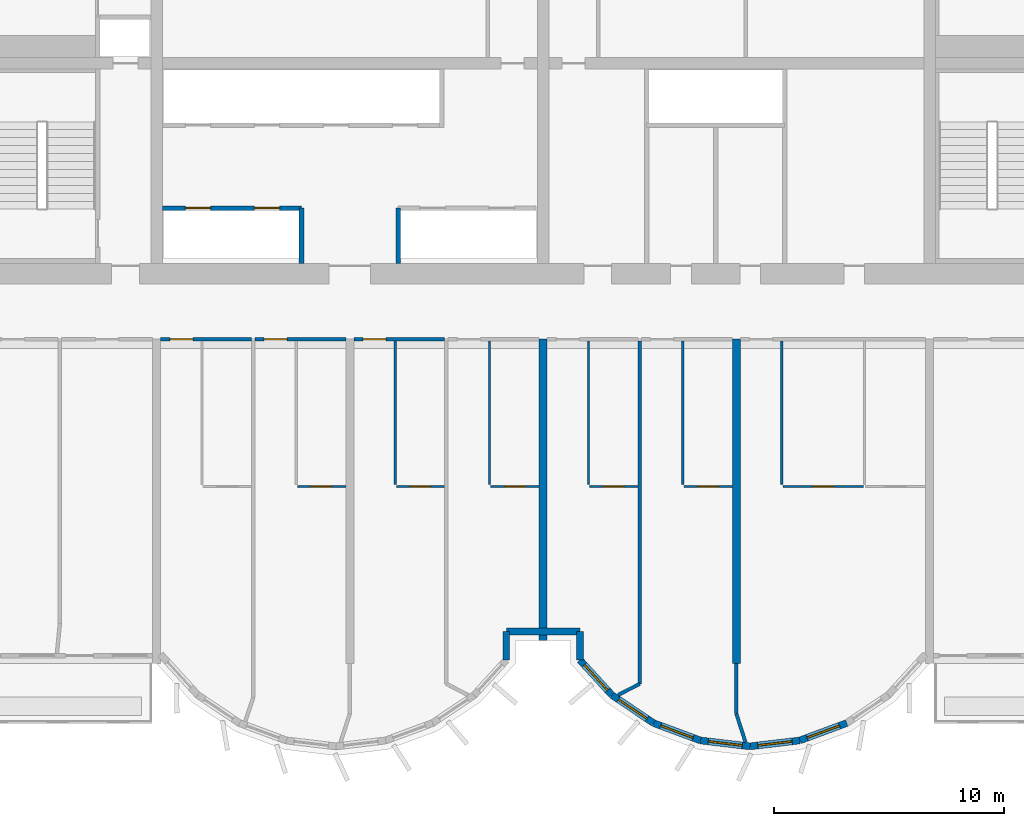
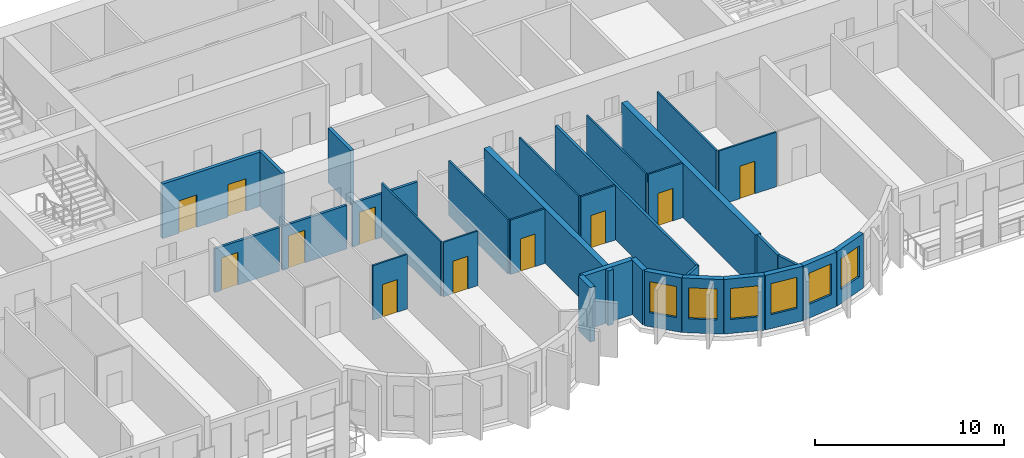
# One storey, part 5 of 14: 32 walls, 11 doors, 6 windows, 17 openings.
"""IFC4 building model written with IfcOpenShell, lengths in metres."""

from ifc_helpers import new_model, si_unit, direction, frame, frame_2d, origin, place, context, subcontext, project, spatial, rectangle, extrude, source, transform, mapped, material, layer, layer_set, type_object, element, fill, save


model = new_model("IFC4")

# Units and contexts
model_context = context("Model", 3, precision=1e-05, world=origin(), true_north=direction((0.0, 1.0)))
body_context = subcontext(model_context, "Body", "Model", "MODEL_VIEW")
ifc_project = project(units=[si_unit("LENGTHUNIT", "METRE"), si_unit("AREAUNIT", "SQUARE_METRE"), si_unit("VOLUMEUNIT", "CUBIC_METRE"), si_unit("PLANEANGLEUNIT", "RADIAN"), si_unit("MASSUNIT", "GRAM", prefix="KILO")], contexts=[model_context])

# Site, building, storey
site_placement = place(None, origin())
site = spatial("IfcSite", under=ifc_project, at=site_placement, CompositionType="ELEMENT")
building_placement = place(site_placement, origin())
building = spatial("IfcBuilding", under=site, at=building_placement, Name="Vanashikhar Sky Hotel", CompositionType="ELEMENT")
storey_placement = place(building_placement, frame((0.0, 0.0, 129.39990234375)))
storey = spatial("IfcBuildingStorey", under=building, at=storey_placement, Name="L31", CompositionType="ELEMENT", Elevation=129.39990234375)

# Walls
ifc_material_1 = material(Name="Concrete M70", Category="concrete")
ifc_layer_1 = layer(ifc_material_1, 0.35009765625)
ifc_layer_set_1 = layer_set([ifc_layer_1], Name="RC shear wall 350 Concrete M70")
wall_type_1 = type_object("IfcWallType", Name="RC shear wall 350 Concrete M70", PredefinedType="SHEAR", material=ifc_layer_set_1)
shared_shape_1 = source(origin(), body_context, "Body", "SweptSolid", [
    extrude(rectangle(XDim=14.10009765625, YDim=0.35009765625, at=frame_2d((7.050048828125, 0.0))), origin(), (0.0, 0.0, 1.0), 3.52001953125),
])
wall_1_placement = place(storey_placement, frame((58.800048828125, 5.5, 0.0), z_axis=(0.0, 0.0, 1.0), x_axis=(0.0, 1.0, 0.0)))
element("IfcWall", 1, at=wall_1_placement, inside=storey, type_object=wall_type_1, Name="CW-L31-XW08-1", PredefinedType="SHEAR", context=body_context, shape_type="MappedRepresentation", body=[
    mapped(shared_shape_1, transform((0.0, 0.0, 0.0), scale=1.0)),
])
shared_shape_2 = source(origin(), body_context, "Body", "SweptSolid", [
    extrude(rectangle(XDim=13.10009765625, YDim=0.35009765625, at=frame_2d((6.550048828125, 0.0))), origin(), (0.0, 0.0, 1.0), 3.52001953125),
])
wall_2_placement = place(storey_placement, frame((50.39990234375, 6.5, 0.0), z_axis=(0.0, 0.0, 1.0), x_axis=(0.0, 1.0, 0.0)))
element("IfcWall", 2, at=wall_2_placement, inside=storey, type_object=wall_type_1, Name="CW-L31-XW07-1", PredefinedType="SHEAR", context=body_context, shape_type="MappedRepresentation", body=[
    mapped(shared_shape_2, transform((0.0, 0.0, 0.0), scale=1.0)),
])

# Wall, opening, window
ifc_material_2 = material(Name="Concrete M50", Category="concrete")
ifc_layer_2 = layer(ifc_material_2, 0.300048828125)
ifc_layer_set_2 = layer_set([ifc_layer_2], Name="Lobe wall 300")
wall_type_2 = type_object("IfcWallType", Name="Lobe wall 300", PredefinedType="SOLIDWALL", material=ifc_layer_set_2)
shared_shape_3 = source(origin(), body_context, "Body", "SweptSolid", [
    extrude(rectangle(XDim=2.17578125, YDim=0.300048828125, at=frame_2d((1.087890625, 0.0))), origin(), (0.0, 0.0, 1.0), 3.52001953125),
])
wall_3_placement = place(storey_placement, frame((53.395751953125, 4.13134765625, 0.0), z_axis=(0.0, 0.0, 1.0), x_axis=(0.829590746428, -0.558371913192, 0.0)))
wall_3 = element("IfcWall", 3, at=wall_3_placement, inside=storey, type_object=wall_type_2, Name="Lobe wall", PredefinedType="SOLIDWALL", context=body_context, shape_type="MappedRepresentation", body=[
    mapped(shared_shape_3, transform((0.0, 0.0, 0.0), scale=1.0)),
])
shared_shape_4 = source(origin(), body_context, "Body", "SweptSolid", [
    extrude(rectangle(XDim=1.5, YDim=2.0, at=frame_2d((0.75, 1.0))), frame((0.0, 0.16015625, 0.0), z_axis=(0.0, -1.0, 0.0), x_axis=(1.0, 0.0, 0.0)), (0.0, 0.0, 1.0), 0.320068359375),
])
opening_1_placement = place(wall_3_placement, frame((0.337890625, 0.0, 0.89990234375)))
opening_1 = element("IfcOpeningElement", 4, at=opening_1_placement, cuts=wall_3, Name="Opening WN-2", PredefinedType="OPENING", context=body_context, shape_type="MappedRepresentation", body=[
    mapped(shared_shape_4, transform((0.0, 0.0, 0.0), scale=1.0)),
])
ifc_material_3 = material(Name="Glass", Category="glass")
window_type = type_object("IfcWindowType", Name="Lobe window 1500 x 2000", PartitioningType="SINGLE_PANEL", PredefinedType="WINDOW", material=ifc_material_3)
shared_shape_5 = source(origin(), body_context, "Body", "SweptSolid", [
    extrude(rectangle(XDim=1.5, YDim=2.0, at=frame_2d((0.75, 1.0))), frame((0.0, 0.030029296875, 0.0), z_axis=(0.0, -1.0, 0.0), x_axis=(1.0, 0.0, 0.0)), (0.0, 0.0, 1.0), 0.06005859375),
])
window_1_placement = place(opening_1_placement, origin())
window_1 = element("IfcWindow", 5, at=window_1_placement, inside=storey, type_object=window_type, Name="Window WN-2", OverallHeight=2.0, OverallWidth=1.5, PartitioningType="SINGLE_PANEL", PredefinedType="WINDOW", context=body_context, shape_type="MappedRepresentation", body=[
    mapped(shared_shape_5, transform((0.0, 0.0, 0.0), scale=1.0)),
])
fill(opening_1, window_1)

wall_4_placement = place(storey_placement, frame((55.20068359375, 2.91650390625, 0.0), z_axis=(0.0, 0.0, 1.0), x_axis=(0.93754555999, -0.347862505801, 0.0)))
wall_4 = element("IfcWall", 6, at=wall_4_placement, inside=storey, type_object=wall_type_2, Name="Lobe wall", PredefinedType="SOLIDWALL", context=body_context, shape_type="MappedRepresentation", body=[
    mapped(shared_shape_3, transform((0.0, 0.0, 0.0), scale=1.0)),
])
opening_2_placement = place(wall_4_placement, frame((0.337890625, 0.0, 0.89990234375)))
opening_2 = element("IfcOpeningElement", 7, at=opening_2_placement, cuts=wall_4, Name="Opening WN-2", PredefinedType="OPENING", context=body_context, shape_type="MappedRepresentation", body=[
    mapped(shared_shape_4, transform((0.0, 0.0, 0.0), scale=1.0)),
])
window_2_placement = place(opening_2_placement, origin())
window_2 = element("IfcWindow", 8, at=window_2_placement, inside=storey, type_object=window_type, Name="Window WN-2", OverallHeight=2.0, OverallWidth=1.5, PartitioningType="SINGLE_PANEL", PredefinedType="WINDOW", context=body_context, shape_type="MappedRepresentation", body=[
    mapped(shared_shape_5, transform((0.0, 0.0, 0.0), scale=1.0)),
])
fill(opening_2, window_2)

shared_shape_6 = source(origin(), body_context, "Body", "SweptSolid", [
    extrude(rectangle(XDim=2.174560546875, YDim=0.300048828125, at=frame_2d((1.08740234375, 0.0))), origin(), (0.0, 0.0, 1.0), 3.52001953125),
])
wall_5_placement = place(storey_placement, frame((57.240478515625, 2.15966796875, 0.0), z_axis=(0.0, 0.0, 1.0), x_axis=(0.993001132889, -0.118104826659, 0.0)))
wall_5 = element("IfcWall", 9, at=wall_5_placement, inside=storey, type_object=wall_type_2, Name="Lobe wall", PredefinedType="SOLIDWALL", context=body_context, shape_type="MappedRepresentation", body=[
    mapped(shared_shape_6, transform((0.0, 0.0, 0.0), scale=1.0)),
])
opening_3_placement = place(wall_5_placement, frame((0.33740234375, 0.0, 0.89990234375)))
opening_3 = element("IfcOpeningElement", 10, at=opening_3_placement, cuts=wall_5, Name="Opening WN-2", PredefinedType="OPENING", context=body_context, shape_type="MappedRepresentation", body=[
    mapped(shared_shape_4, transform((0.0, 0.0, 0.0), scale=1.0)),
])
window_3_placement = place(opening_3_placement, origin())
window_3 = element("IfcWindow", 11, at=window_3_placement, inside=storey, type_object=window_type, Name="Window WN-2", OverallHeight=2.0, OverallWidth=1.5, PartitioningType="SINGLE_PANEL", PredefinedType="WINDOW", context=body_context, shape_type="MappedRepresentation", body=[
    mapped(shared_shape_5, transform((0.0, 0.0, 0.0), scale=1.0)),
])
fill(opening_3, window_3)

shared_shape_7 = source(origin(), body_context, "Body", "SweptSolid", [
    extrude(rectangle(XDim=2.1748046875, YDim=0.300048828125, at=frame_2d((1.08740234375, 0.0))), origin(), (0.0, 0.0, 1.0), 3.52001953125),
])
wall_6_placement = place(storey_placement, frame((59.39990234375, 1.90283203125, 0.0), z_axis=(0.0, 0.0, 1.0), x_axis=(0.993002698611, 0.118091661648, 0.0)))
wall_6 = element("IfcWall", 12, at=wall_6_placement, inside=storey, type_object=wall_type_2, Name="Lobe wall", PredefinedType="SOLIDWALL", context=body_context, shape_type="MappedRepresentation", body=[
    mapped(shared_shape_7, transform((0.0, 0.0, 0.0), scale=1.0)),
])
opening_4_placement = place(wall_6_placement, frame((0.33740234375, 0.0, 0.89990234375)))
opening_4 = element("IfcOpeningElement", 13, at=opening_4_placement, cuts=wall_6, Name="Opening WN-2", PredefinedType="OPENING", context=body_context, shape_type="MappedRepresentation", body=[
    mapped(shared_shape_4, transform((0.0, 0.0, 0.0), scale=1.0)),
])
window_4_placement = place(opening_4_placement, origin())
window_4 = element("IfcWindow", 14, at=window_4_placement, inside=storey, type_object=window_type, Name="Window WN-2", OverallHeight=2.0, OverallWidth=1.5, PartitioningType="SINGLE_PANEL", PredefinedType="WINDOW", context=body_context, shape_type="MappedRepresentation", body=[
    mapped(shared_shape_5, transform((0.0, 0.0, 0.0), scale=1.0)),
])
fill(opening_4, window_4)

shared_shape_8 = source(origin(), body_context, "Body", "SweptSolid", [
    extrude(rectangle(XDim=2.175537109375, YDim=0.300048828125, at=frame_2d((1.087890625, 0.0))), origin(), (0.0, 0.0, 1.0), 3.52001953125),
])
wall_7_placement = place(storey_placement, frame((61.5595703125, 2.15966796875, 0.0), z_axis=(0.0, 0.0, 1.0), x_axis=(0.937531979054, 0.347899106424, 0.0)))
wall_7 = element("IfcWall", 15, at=wall_7_placement, inside=storey, type_object=wall_type_2, Name="Lobe wall", PredefinedType="SOLIDWALL", context=body_context, shape_type="MappedRepresentation", body=[
    mapped(shared_shape_8, transform((0.0, 0.0, 0.0), scale=1.0)),
])
opening_5_placement = place(wall_7_placement, frame((0.337890625, 0.0, 0.89990234375)))
opening_5 = element("IfcOpeningElement", 16, at=opening_5_placement, cuts=wall_7, Name="Opening WN-2", PredefinedType="OPENING", context=body_context, shape_type="MappedRepresentation", body=[
    mapped(shared_shape_4, transform((0.0, 0.0, 0.0), scale=1.0)),
])
window_5_placement = place(opening_5_placement, origin())
window_5 = element("IfcWindow", 17, at=window_5_placement, inside=storey, type_object=window_type, Name="Window WN-2", OverallHeight=2.0, OverallWidth=1.5, PartitioningType="SINGLE_PANEL", PredefinedType="WINDOW", context=body_context, shape_type="MappedRepresentation", body=[
    mapped(shared_shape_5, transform((0.0, 0.0, 0.0), scale=1.0)),
])
fill(opening_5, window_5)

shared_shape_9 = source(origin(), body_context, "Body", "SweptSolid", [
    extrude(rectangle(XDim=2.066650390625, YDim=0.300048828125, at=frame_2d((1.033203125, 0.0))), origin(), (0.0, 0.0, 1.0), 3.52001953125),
])
wall_8_placement = place(storey_placement, frame((52.0, 5.655517578125, 0.0), z_axis=(0.0, 0.0, 1.0), x_axis=(0.675355439877, -0.737492393065, 0.0)))
wall_8 = element("IfcWall", 18, at=wall_8_placement, inside=storey, type_object=wall_type_2, Name="Lobe wall", PredefinedType="SOLIDWALL", context=body_context, shape_type="MappedRepresentation", body=[
    mapped(shared_shape_9, transform((0.0, 0.0, 0.0), scale=1.0)),
])
opening_6_placement = place(wall_8_placement, frame((0.283447265625, 0.0, 0.89990234375)))
opening_6 = element("IfcOpeningElement", 19, at=opening_6_placement, cuts=wall_8, Name="Opening WN-2", PredefinedType="OPENING", context=body_context, shape_type="MappedRepresentation", body=[
    mapped(shared_shape_4, transform((0.0, 0.0, 0.0), scale=1.0)),
])
window_6_placement = place(opening_6_placement, origin())
window_6 = element("IfcWindow", 20, at=window_6_placement, inside=storey, type_object=window_type, Name="Window WN-2", OverallHeight=2.0, OverallWidth=1.5, PartitioningType="SINGLE_PANEL", PredefinedType="WINDOW", context=body_context, shape_type="MappedRepresentation", body=[
    mapped(shared_shape_5, transform((0.0, 0.0, 0.0), scale=1.0)),
])
fill(opening_6, window_6)

# Walls
shared_shape_10 = source(origin(), body_context, "Body", "SweptSolid", [
    extrude(rectangle(XDim=1.244384765625, YDim=0.300048828125, at=frame_2d((0.6220703125, 0.0))), origin(), (0.0, 0.0, 1.0), 3.52001953125),
])
for number, where, z_axis, x_axis, name in (
    (21, (48.800048828125, 5.655517578125, 0.0), (0.0, 0.0, 1.0), (0.0, 1.0, 0.0), "Groove wall"),
    (22, (52.0, 6.89990234375, 0.0), (0.0, 0.0, 1.0), (0.0, -1.0, 0.0), "Groove wall"),
):
    element("IfcWall", number, at=place(storey_placement, frame(where, z_axis=z_axis, x_axis=x_axis)), inside=storey, type_object=wall_type_2, Name=name, PredefinedType="SOLIDWALL", context=body_context, shape_type="MappedRepresentation", body=[
        mapped(shared_shape_10, transform((0.0, 0.0, 0.0), scale=1.0)),
    ])
shared_shape_11 = source(origin(), body_context, "Body", "SweptSolid", [
    extrude(rectangle(XDim=3.199951171875, YDim=0.300048828125, at=frame_2d((1.60009765625, 0.0))), origin(), (0.0, 0.0, 1.0), 3.52001953125),
])
wall_9_placement = place(storey_placement, frame((48.800048828125, 6.89990234375, 0.0), z_axis=(0.0, 0.0, 1.0), x_axis=(1.0, 0.0, 0.0)))
element("IfcWall", 23, at=wall_9_placement, inside=storey, type_object=wall_type_2, Name="Groove wall", PredefinedType="SOLIDWALL", context=body_context, shape_type="MappedRepresentation", body=[
    mapped(shared_shape_11, transform((0.0, 0.0, 0.0), scale=1.0)),
])

# Wall, openings, doors
ifc_material_4 = material(Name="Concrete M40", Category="concrete")
ifc_layer_3 = layer(ifc_material_4, 0.199951171875)
ifc_layer_set_3 = layer_set([ifc_layer_3], Name="Shaft wall 200")
wall_type_3 = type_object("IfcWallType", Name="Shaft wall 200", PredefinedType="SOLIDWALL", material=ifc_layer_set_3)
shared_shape_12 = source(origin(), body_context, "Body", "SweptSolid", [
    extrude(rectangle(XDim=6.0498046875, YDim=0.199951171875, at=frame_2d((3.02490234375, 0.0))), origin(), (0.0, 0.0, 1.0), 3.52001953125),
])
wall_10_placement = place(storey_placement, frame((33.85009765625, 25.300048828125, 0.0), z_axis=(0.0, 0.0, 1.0), x_axis=(1.0, 0.0, 0.0)))
wall_10 = element("IfcWall", 24, at=wall_10_placement, inside=storey, type_object=wall_type_3, Name="Shaft wall 200", PredefinedType="SOLIDWALL", context=body_context, shape_type="MappedRepresentation", body=[
    mapped(shared_shape_12, transform((0.0, 0.0, 0.0), scale=1.0)),
])
shared_shape_13 = source(origin(), body_context, "Body", "SweptSolid", [
    extrude(rectangle(XDim=1.10009765625, YDim=2.10009765625, at=frame_2d((0.550048828125, 1.050048828125))), frame((0.0, 0.10986328125, 0.0), z_axis=(0.0, -1.0, 0.0), x_axis=(1.0, 0.0, 0.0)), (0.0, 0.0, 1.0), 0.219970703125),
])
opening_7_placement = place(wall_10_placement, frame((1.0, 0.0, 0.0)))
opening_7 = element("IfcOpeningElement", 25, at=opening_7_placement, cuts=wall_10, Name="Opening LD", PredefinedType="OPENING", context=body_context, shape_type="MappedRepresentation", body=[
    mapped(shared_shape_13, transform((0.0, 0.0, 0.0), scale=1.0)),
])
opening_8_placement = place(wall_10_placement, frame((4.0, 0.0, 0.0)))
opening_8 = element("IfcOpeningElement", 26, at=opening_8_placement, cuts=wall_10, Name="Opening LD", PredefinedType="OPENING", context=body_context, shape_type="MappedRepresentation", body=[
    mapped(shared_shape_13, transform((0.0, 0.0, 0.0), scale=1.0)),
])
ifc_material_5 = material(Name="Stainless steel", Category="steel")
door_type_1 = type_object("IfcDoorType", Name="Lift landing door 1100", OperationType="NOTDEFINED", PredefinedType="DOOR", material=ifc_material_5)
shared_shape_14 = source(origin(), body_context, "Body", "SweptSolid", [
    extrude(rectangle(XDim=1.10009765625, YDim=2.10009765625, at=frame_2d((0.550048828125, 1.050048828125))), frame((0.0, 0.02490234375, 0.0), z_axis=(0.0, -1.0, 0.0), x_axis=(1.0, 0.0, 0.0)), (0.0, 0.0, 1.0), 0.050048828125),
])
door_1_placement = place(opening_7_placement, origin())
door_1 = element("IfcDoor", 27, at=door_1_placement, inside=storey, type_object=door_type_1, Name="Lift landing door 1100", OperationType="SLIDING_TO_LEFT", OverallHeight=2.10009765625, OverallWidth=1.10009765625, PredefinedType="DOOR", context=body_context, shape_type="MappedRepresentation", body=[
    mapped(shared_shape_14, transform((0.0, 0.0, 0.0), scale=1.0)),
])
fill(opening_7, door_1)
door_2_placement = place(opening_8_placement, origin())
door_2 = element("IfcDoor", 28, at=door_2_placement, inside=storey, type_object=door_type_1, Name="Lift landing door 1100", OperationType="SLIDING_TO_RIGHT", OverallHeight=2.10009765625, OverallWidth=1.10009765625, PredefinedType="DOOR", context=body_context, shape_type="MappedRepresentation", body=[
    mapped(shared_shape_14, transform((0.0, 0.0, 0.0), scale=1.0)),
])
fill(opening_8, door_2)

# Walls
shared_shape_15 = source(origin(), body_context, "Body", "SweptSolid", [
    extrude(rectangle(XDim=2.400146484375, YDim=0.199951171875, at=frame_2d((1.2001953125, 0.0))), origin(), (0.0, 0.0, 1.0), 3.52001953125),
])
for number, where, z_axis, x_axis, name in (
    (29, (39.89990234375, 22.89990234375, 0.0), (0.0, 0.0, 1.0), (0.0, 1.0, 0.0), "Shaft wall 200"),
    (30, (44.10009765625, 22.89990234375, 0.0), (0.0, 0.0, 1.0), (0.0, 1.0, 0.0), "Shaft wall 200"),
):
    element("IfcWall", number, at=place(storey_placement, frame(where, z_axis=z_axis, x_axis=x_axis)), inside=storey, type_object=wall_type_3, Name=name, PredefinedType="SOLIDWALL", context=body_context, shape_type="MappedRepresentation", body=[
        mapped(shared_shape_15, transform((0.0, 0.0, 0.0), scale=1.0)),
    ])
ifc_material_6 = material(Name="Gypsum plasterboard partition")
ifc_layer_4 = layer(ifc_material_6, 0.14990234375)
ifc_layer_set_4 = layer_set([ifc_layer_4], Name="Corridor and demising partition 150")
wall_type_4 = type_object("IfcWallType", Name="Corridor and demising partition 150", PredefinedType="PARTITIONING", material=ifc_layer_set_4)
shared_shape_16 = source(origin(), body_context, "Body", "SweptSolid", [
    extrude(rectangle(XDim=2.177978515625, YDim=0.14990234375, at=frame_2d((1.0888671875, 0.0))), origin(), (0.0, 0.0, 1.0), 3.52001953125),
])
wall_11_placement = place(storey_placement, frame((58.800048828125, 3.322021484375, 0.0), z_axis=(0.0, 0.0, 1.0), x_axis=(0.0, 1.0, 0.0)))
element("IfcWall", 31, at=wall_11_placement, inside=storey, type_object=wall_type_4, Name="W-L31-PW070", PredefinedType="PARTITIONING", context=body_context, shape_type="MappedRepresentation", body=[
    mapped(shared_shape_16, transform((0.0, 0.0, 0.0), scale=1.0)),
])

# Wall, opening, door
ifc_layer_5 = layer(ifc_material_6, 0.10009765625)
ifc_layer_set_5 = layer_set([ifc_layer_5], Name="Wet room partition 100")
wall_type_5 = type_object("IfcWallType", Name="Wet room partition 100", PredefinedType="PARTITIONING", material=ifc_layer_set_5)
shared_shape_17 = source(origin(), body_context, "Body", "SweptSolid", [
    extrude(rectangle(XDim=3.5, YDim=0.10009765625, at=frame_2d((1.75, 0.0))), origin(), (0.0, 0.0, 1.0), 3.52001953125),
])
wall_12_placement = place(storey_placement, frame((60.824951171875, 13.199951171875, 0.0), z_axis=(0.0, 0.0, 1.0), x_axis=(1.0, 0.0, 0.0)))
wall_12 = element("IfcWall", 32, at=wall_12_placement, inside=storey, type_object=wall_type_5, Name="W-L31-PW046", PredefinedType="PARTITIONING", context=body_context, shape_type="MappedRepresentation", body=[
    mapped(shared_shape_17, transform((0.0, 0.0, 0.0), scale=1.0)),
])
shared_shape_18 = source(origin(), body_context, "Body", "SweptSolid", [
    extrude(rectangle(XDim=0.89990234375, YDim=2.10009765625, at=frame_2d((0.449951171875, 1.050048828125))), frame((0.0, 0.06005859375, 0.0), z_axis=(0.0, -1.0, 0.0), x_axis=(1.0, 0.0, 0.0)), (0.0, 0.0, 1.0), 0.1201171875),
])
opening_9_placement = place(wall_12_placement, frame((1.300048828125, 0.0, 0.0)))
opening_9 = element("IfcOpeningElement", 33, at=opening_9_placement, cuts=wall_12, Name="Opening D-02", PredefinedType="OPENING", context=body_context, shape_type="MappedRepresentation", body=[
    mapped(shared_shape_18, transform((0.0, 0.0, 0.0), scale=1.0)),
])
ifc_material_7 = material(Name="Timber door", Category="wood")
door_type_2 = type_object("IfcDoorType", Name="Internal door 900", OperationType="NOTDEFINED", PredefinedType="DOOR", material=ifc_material_7)
shared_shape_19 = source(origin(), body_context, "Body", "SweptSolid", [
    extrude(rectangle(XDim=0.89990234375, YDim=2.10009765625, at=frame_2d((0.449951171875, 1.050048828125))), frame((0.0, 0.02490234375, 0.0), z_axis=(0.0, -1.0, 0.0), x_axis=(1.0, 0.0, 0.0)), (0.0, 0.0, 1.0), 0.050048828125),
])
door_3_placement = place(opening_9_placement, origin())
door_3 = element("IfcDoor", 34, at=door_3_placement, inside=storey, type_object=door_type_2, Name="D-L31-026", OperationType="SINGLE_SWING_LEFT", OverallHeight=2.10009765625, OverallWidth=0.89990234375, PredefinedType="DOOR", context=body_context, shape_type="MappedRepresentation", body=[
    mapped(shared_shape_19, transform((0.0, 0.0, 0.0), scale=1.0)),
])
fill(opening_9, door_3)

# Walls
shared_shape_20 = source(origin(), body_context, "Body", "SweptSolid", [
    extrude(rectangle(XDim=1.057861328125, YDim=0.14990234375, at=frame_2d((0.52880859375, 0.0))), origin(), (0.0, 0.0, 1.0), 3.52001953125),
])
wall_13_placement = place(storey_placement, frame((53.659912109375, 4.134033203125, 0.0), z_axis=(0.0, 0.0, 1.0), x_axis=(0.888772319209, 0.458348955063, 0.0)))
element("IfcWall", 35, at=wall_13_placement, inside=storey, type_object=wall_type_4, Name="W-L31-PW043B0", PredefinedType="PARTITIONING", context=body_context, shape_type="MappedRepresentation", body=[
    mapped(shared_shape_20, transform((0.0, 0.0, 0.0), scale=1.0)),
])
shared_shape_21 = source(origin(), body_context, "Body", "SweptSolid", [
    extrude(rectangle(XDim=1.308349609375, YDim=0.14990234375, at=frame_2d((0.654296875, 0.0))), origin(), (0.0, 0.0, 1.0), 3.52001953125),
])
wall_14_placement = place(storey_placement, frame((59.201904296875, 2.076904296875, 0.0), z_axis=(0.0, 0.0, 1.0), x_axis=(-0.307144529633, 0.951662880392, 0.0)))
element("IfcWall", 36, at=wall_14_placement, inside=storey, type_object=wall_type_4, Name="W-L31-PW070B0", PredefinedType="PARTITIONING", context=body_context, shape_type="MappedRepresentation", body=[
    mapped(shared_shape_21, transform((0.0, 0.0, 0.0), scale=1.0)),
])
shared_shape_22 = source(origin(), body_context, "Body", "SweptSolid", [
    extrude(rectangle(XDim=6.25, YDim=0.10009765625, at=frame_2d((3.125, 0.0))), origin(), (0.0, 0.0, 1.0), 3.52001953125),
])
for number, where, z_axis, x_axis, name in (
    (37, (43.97509765625, 13.27490234375, 0.0), (0.0, 0.0, 1.0), (0.0, 1.0, 0.0), "W-L31-PW030"),
    (38, (48.074951171875, 13.27490234375, 0.0), (0.0, 0.0, 1.0), (0.0, 1.0, 0.0), "W-L31-PW033"),
    (39, (52.375, 13.27490234375, 0.0), (0.0, 0.0, 1.0), (0.0, 1.0, 0.0), "W-L31-PW037"),
    (40, (56.47509765625, 13.27490234375, 0.0), (0.0, 0.0, 1.0), (0.0, 1.0, 0.0), "W-L31-PW040"),
    (41, (60.77490234375, 13.27490234375, 0.0), (0.0, 0.0, 1.0), (0.0, 1.0, 0.0), "W-L31-PW044"),
):
    element("IfcWall", number, at=place(storey_placement, frame(where, z_axis=z_axis, x_axis=x_axis)), inside=storey, type_object=wall_type_5, Name=name, PredefinedType="PARTITIONING", context=body_context, shape_type="MappedRepresentation", body=[
        mapped(shared_shape_22, transform((0.0, 0.0, 0.0), scale=1.0)),
    ])

# Wall, opening, door
shared_shape_23 = source(origin(), body_context, "Body", "SweptSolid", [
    extrude(rectangle(XDim=2.10009765625, YDim=0.10009765625, at=frame_2d((1.050048828125, 0.0))), origin(), (0.0, 0.0, 1.0), 3.52001953125),
])
wall_15_placement = place(storey_placement, frame((44.02490234375, 13.199951171875, 0.0), z_axis=(0.0, 0.0, 1.0), x_axis=(1.0, 0.0, 0.0)))
wall_15 = element("IfcWall", 42, at=wall_15_placement, inside=storey, type_object=wall_type_5, Name="W-L31-PW031", PredefinedType="PARTITIONING", context=body_context, shape_type="MappedRepresentation", body=[
    mapped(shared_shape_23, transform((0.0, 0.0, 0.0), scale=1.0)),
])
opening_10_placement = place(wall_15_placement, frame((0.60009765625, 0.0, 0.0)))
opening_10 = element("IfcOpeningElement", 43, at=opening_10_placement, cuts=wall_15, Name="Opening D-02", PredefinedType="OPENING", context=body_context, shape_type="MappedRepresentation", body=[
    mapped(shared_shape_18, transform((0.0, 0.0, 0.0), scale=1.0)),
])
door_4_placement = place(opening_10_placement, origin())
door_4 = element("IfcDoor", 44, at=door_4_placement, inside=storey, type_object=door_type_2, Name="D-L31-018", OperationType="SINGLE_SWING_LEFT", OverallHeight=2.10009765625, OverallWidth=0.89990234375, PredefinedType="DOOR", context=body_context, shape_type="MappedRepresentation", body=[
    mapped(shared_shape_19, transform((0.0, 0.0, 0.0), scale=1.0)),
])
fill(opening_10, door_4)

wall_16_placement = place(storey_placement, frame((48.125, 13.199951171875, 0.0), z_axis=(0.0, 0.0, 1.0), x_axis=(1.0, 0.0, 0.0)))
wall_16 = element("IfcWall", 45, at=wall_16_placement, inside=storey, type_object=wall_type_5, Name="W-L31-PW034", PredefinedType="PARTITIONING", context=body_context, shape_type="MappedRepresentation", body=[
    mapped(shared_shape_23, transform((0.0, 0.0, 0.0), scale=1.0)),
])
opening_11_placement = place(wall_16_placement, frame((0.60009765625, 0.0, 0.0)))
opening_11 = element("IfcOpeningElement", 46, at=opening_11_placement, cuts=wall_16, Name="Opening D-02", PredefinedType="OPENING", context=body_context, shape_type="MappedRepresentation", body=[
    mapped(shared_shape_18, transform((0.0, 0.0, 0.0), scale=1.0)),
])
door_5_placement = place(opening_11_placement, origin())
door_5 = element("IfcDoor", 47, at=door_5_placement, inside=storey, type_object=door_type_2, Name="D-L31-020", OperationType="SINGLE_SWING_LEFT", OverallHeight=2.10009765625, OverallWidth=0.89990234375, PredefinedType="DOOR", context=body_context, shape_type="MappedRepresentation", body=[
    mapped(shared_shape_19, transform((0.0, 0.0, 0.0), scale=1.0)),
])
fill(opening_11, door_5)

wall_17_placement = place(storey_placement, frame((56.52490234375, 13.199951171875, 0.0), z_axis=(0.0, 0.0, 1.0), x_axis=(1.0, 0.0, 0.0)))
wall_17 = element("IfcWall", 48, at=wall_17_placement, inside=storey, type_object=wall_type_5, Name="W-L31-PW041", PredefinedType="PARTITIONING", context=body_context, shape_type="MappedRepresentation", body=[
    mapped(shared_shape_23, transform((0.0, 0.0, 0.0), scale=1.0)),
])
opening_12_placement = place(wall_17_placement, frame((0.60009765625, 0.0, 0.0)))
opening_12 = element("IfcOpeningElement", 49, at=opening_12_placement, cuts=wall_17, Name="Opening D-02", PredefinedType="OPENING", context=body_context, shape_type="MappedRepresentation", body=[
    mapped(shared_shape_18, transform((0.0, 0.0, 0.0), scale=1.0)),
])
door_6_placement = place(opening_12_placement, origin())
door_6 = element("IfcDoor", 50, at=door_6_placement, inside=storey, type_object=door_type_2, Name="D-L31-024", OperationType="SINGLE_SWING_LEFT", OverallHeight=2.10009765625, OverallWidth=0.89990234375, PredefinedType="DOOR", context=body_context, shape_type="MappedRepresentation", body=[
    mapped(shared_shape_19, transform((0.0, 0.0, 0.0), scale=1.0)),
])
fill(opening_12, door_6)

shared_shape_24 = source(origin(), body_context, "Body", "SweptSolid", [
    extrude(rectangle(XDim=3.9501953125, YDim=0.14990234375, at=frame_2d((1.97509765625, 0.0))), origin(), (0.0, 0.0, 1.0), 2.820068359375),
])
wall_18_placement = place(storey_placement, frame((33.77490234375, 19.60009765625, 0.0), z_axis=(0.0, 0.0, 1.0), x_axis=(1.0, 0.0, 0.0)))
wall_18 = element("IfcWall", 51, at=wall_18_placement, inside=storey, type_object=wall_type_4, Name="W-L31-PW025", PredefinedType="PARTITIONING", context=body_context, shape_type="MappedRepresentation", body=[
    mapped(shared_shape_24, transform((0.0, 0.0, 0.0), scale=1.0)),
])
shared_shape_25 = source(origin(), body_context, "Body", "SweptSolid", [
    extrude(rectangle(XDim=1.0, YDim=2.10009765625, at=frame_2d((0.5, 1.050048828125))), frame((0.0, 0.0849609375, 0.0), z_axis=(0.0, -1.0, 0.0), x_axis=(1.0, 0.0, 0.0)), (0.0, 0.0, 1.0), 0.169921875),
])
opening_13_placement = place(wall_18_placement, frame((0.39990234375, 0.0, 0.0)))
opening_13 = element("IfcOpeningElement", 52, at=opening_13_placement, cuts=wall_18, Name="Opening D-01", PredefinedType="OPENING", context=body_context, shape_type="MappedRepresentation", body=[
    mapped(shared_shape_25, transform((0.0, 0.0, 0.0), scale=1.0)),
])
ifc_material_8 = material(Name="Timber fire door", Category="wood")
door_type_3 = type_object("IfcDoorType", Name="Guest entry door 1000 FD30S", OperationType="NOTDEFINED", PredefinedType="DOOR", material=ifc_material_8)
shared_shape_26 = source(origin(), body_context, "Body", "SweptSolid", [
    extrude(rectangle(XDim=1.0, YDim=2.10009765625, at=frame_2d((0.5, 1.050048828125))), frame((0.0, 0.02490234375, 0.0), z_axis=(0.0, -1.0, 0.0), x_axis=(1.0, 0.0, 0.0)), (0.0, 0.0, 1.0), 0.050048828125),
])
door_7_placement = place(opening_13_placement, origin())
door_7 = element("IfcDoor", 53, at=door_7_placement, inside=storey, type_object=door_type_3, Name="D-L31-015", OperationType="SINGLE_SWING_LEFT", OverallHeight=2.10009765625, OverallWidth=1.0, PredefinedType="DOOR", context=body_context, shape_type="MappedRepresentation", body=[
    mapped(shared_shape_26, transform((0.0, 0.0, 0.0), scale=1.0)),
])
fill(opening_13, door_7)

shared_shape_27 = source(origin(), body_context, "Body", "SweptSolid", [
    extrude(rectangle(XDim=3.949951171875, YDim=0.14990234375, at=frame_2d((1.97509765625, 0.0))), origin(), (0.0, 0.0, 1.0), 2.820068359375),
])
wall_19_placement = place(storey_placement, frame((37.875, 19.60009765625, 0.0), z_axis=(0.0, 0.0, 1.0), x_axis=(1.0, 0.0, 0.0)))
wall_19 = element("IfcWall", 54, at=wall_19_placement, inside=storey, type_object=wall_type_4, Name="W-L31-PW028", PredefinedType="PARTITIONING", context=body_context, shape_type="MappedRepresentation", body=[
    mapped(shared_shape_27, transform((0.0, 0.0, 0.0), scale=1.0)),
])
opening_14_placement = place(wall_19_placement, frame((0.39990234375, 0.0, 0.0)))
opening_14 = element("IfcOpeningElement", 55, at=opening_14_placement, cuts=wall_19, Name="Opening D-01", PredefinedType="OPENING", context=body_context, shape_type="MappedRepresentation", body=[
    mapped(shared_shape_25, transform((0.0, 0.0, 0.0), scale=1.0)),
])
door_8_placement = place(opening_14_placement, origin())
door_8 = element("IfcDoor", 56, at=door_8_placement, inside=storey, type_object=door_type_3, Name="D-L31-017", OperationType="SINGLE_SWING_LEFT", OverallHeight=2.10009765625, OverallWidth=1.0, PredefinedType="DOOR", context=body_context, shape_type="MappedRepresentation", body=[
    mapped(shared_shape_26, transform((0.0, 0.0, 0.0), scale=1.0)),
])
fill(opening_14, door_8)

wall_20_placement = place(storey_placement, frame((42.175048828125, 19.60009765625, 0.0), z_axis=(0.0, 0.0, 1.0), x_axis=(1.0, 0.0, 0.0)))
wall_20 = element("IfcWall", 57, at=wall_20_placement, inside=storey, type_object=wall_type_4, Name="W-L31-PW032", PredefinedType="PARTITIONING", context=body_context, shape_type="MappedRepresentation", body=[
    mapped(shared_shape_27, transform((0.0, 0.0, 0.0), scale=1.0)),
])
opening_15_placement = place(wall_20_placement, frame((0.39990234375, 0.0, 0.0)))
opening_15 = element("IfcOpeningElement", 58, at=opening_15_placement, cuts=wall_20, Name="Opening D-01", PredefinedType="OPENING", context=body_context, shape_type="MappedRepresentation", body=[
    mapped(shared_shape_25, transform((0.0, 0.0, 0.0), scale=1.0)),
])
door_9_placement = place(opening_15_placement, origin())
door_9 = element("IfcDoor", 59, at=door_9_placement, inside=storey, type_object=door_type_3, Name="D-L31-019", OperationType="SINGLE_SWING_LEFT", OverallHeight=2.10009765625, OverallWidth=1.0, PredefinedType="DOOR", context=body_context, shape_type="MappedRepresentation", body=[
    mapped(shared_shape_26, transform((0.0, 0.0, 0.0), scale=1.0)),
])
fill(opening_15, door_9)

shared_shape_28 = source(origin(), body_context, "Body", "SweptSolid", [
    extrude(rectangle(XDim=2.099853515625, YDim=0.10009765625, at=frame_2d((1.0498046875, 0.0))), origin(), (0.0, 0.0, 1.0), 3.52001953125),
])
wall_21_placement = place(storey_placement, frame((39.72509765625, 13.199951171875, 0.0), z_axis=(0.0, 0.0, 1.0), x_axis=(1.0, 0.0, 0.0)))
wall_21 = element("IfcWall", 60, at=wall_21_placement, inside=storey, type_object=wall_type_5, Name="W-L31-PW027", PredefinedType="PARTITIONING", context=body_context, shape_type="MappedRepresentation", body=[
    mapped(shared_shape_28, transform((0.0, 0.0, 0.0), scale=1.0)),
])
opening_16_placement = place(wall_21_placement, frame((0.60009765625, 0.0, 0.0)))
opening_16 = element("IfcOpeningElement", 61, at=opening_16_placement, cuts=wall_21, Name="Opening D-02", PredefinedType="OPENING", context=body_context, shape_type="MappedRepresentation", body=[
    mapped(shared_shape_18, transform((0.0, 0.0, 0.0), scale=1.0)),
])
door_10_placement = place(opening_16_placement, origin())
door_10 = element("IfcDoor", 62, at=door_10_placement, inside=storey, type_object=door_type_2, Name="D-L31-016", OperationType="SINGLE_SWING_LEFT", OverallHeight=2.10009765625, OverallWidth=0.89990234375, PredefinedType="DOOR", context=body_context, shape_type="MappedRepresentation", body=[
    mapped(shared_shape_19, transform((0.0, 0.0, 0.0), scale=1.0)),
])
fill(opening_16, door_10)

wall_22_placement = place(storey_placement, frame((52.425048828125, 13.199951171875, 0.0), z_axis=(0.0, 0.0, 1.0), x_axis=(1.0, 0.0, 0.0)))
wall_22 = element("IfcWall", 63, at=wall_22_placement, inside=storey, type_object=wall_type_5, Name="W-L31-PW038", PredefinedType="PARTITIONING", context=body_context, shape_type="MappedRepresentation", body=[
    mapped(shared_shape_28, transform((0.0, 0.0, 0.0), scale=1.0)),
])
opening_17_placement = place(wall_22_placement, frame((0.60009765625, 0.0, 0.0)))
opening_17 = element("IfcOpeningElement", 64, at=opening_17_placement, cuts=wall_22, Name="Opening D-02", PredefinedType="OPENING", context=body_context, shape_type="MappedRepresentation", body=[
    mapped(shared_shape_18, transform((0.0, 0.0, 0.0), scale=1.0)),
])
door_11_placement = place(opening_17_placement, origin())
door_11 = element("IfcDoor", 65, at=door_11_placement, inside=storey, type_object=door_type_2, Name="D-L31-022", OperationType="SINGLE_SWING_LEFT", OverallHeight=2.10009765625, OverallWidth=0.89990234375, PredefinedType="DOOR", context=body_context, shape_type="MappedRepresentation", body=[
    mapped(shared_shape_19, transform((0.0, 0.0, 0.0), scale=1.0)),
])
fill(opening_17, door_11)

# Wall
shared_shape_29 = source(origin(), body_context, "Body", "SweptSolid", [
    extrude(rectangle(XDim=14.906005859375, YDim=0.14990234375, at=frame_2d((7.453125, 0.0))), origin(), (0.0, 0.0, 1.0), 3.52001953125),
])
wall_23_placement = place(storey_placement, frame((54.60009765625, 4.618896484375, 0.0), z_axis=(0.0, 0.0, 1.0), x_axis=(0.0, 1.0, 0.0)))
element("IfcWall", 66, at=wall_23_placement, inside=storey, type_object=wall_type_4, Name="W-L31-PW043", PredefinedType="PARTITIONING", context=body_context, shape_type="MappedRepresentation", body=[
    mapped(shared_shape_29, transform((0.0, 0.0, 0.0), scale=1.0)),
])

save(model, "model.ifc")
